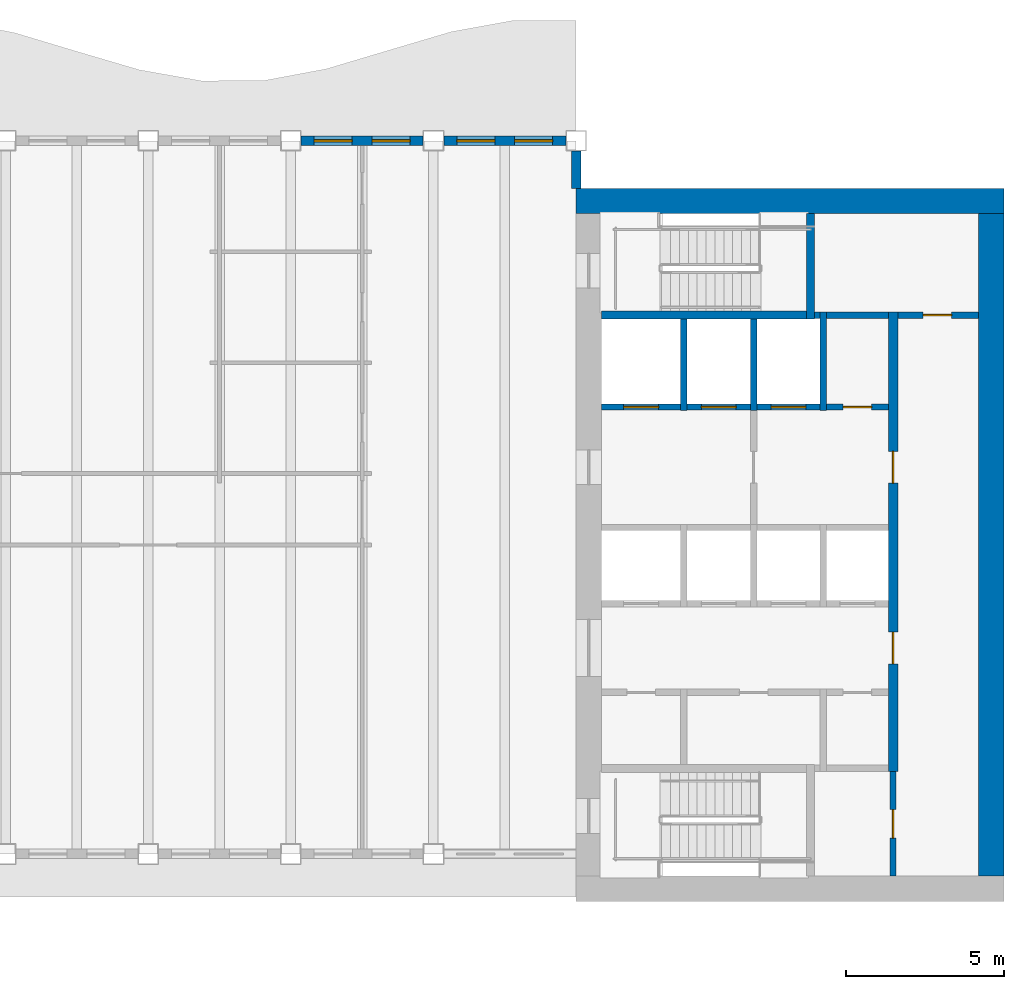
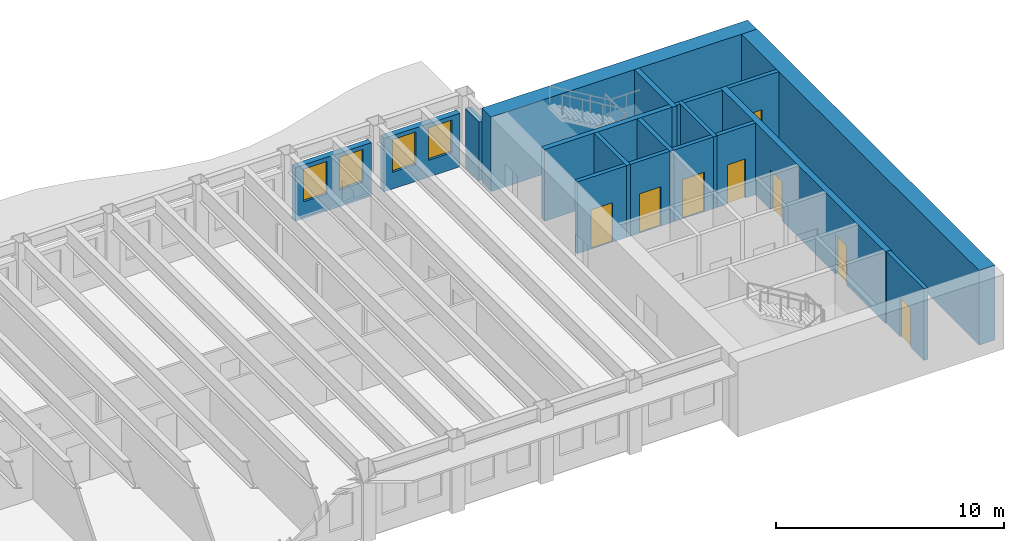
# One storey, part 6 of 12: 19 walls, 8 doors, 4 windows, 12 openings.
"""IFC4 building model written with IfcOpenShell, lengths in metres."""

from ifc_helpers import new_model, si_unit, direction, frame, frame_2d, origin, place, context, subcontext, project, spatial, rectangle, extrude, material, layer, layer_set, type_object, element, fill, save


model = new_model("IFC4")

# Units and contexts
model_context = context("Model", 3, precision=1e-05, world=origin(), true_north=direction((0.0, 1.0)))
body_context = subcontext(model_context, "Body", "Model", "MODEL_VIEW")
ifc_project = project(units=[si_unit("LENGTHUNIT", "METRE"), si_unit("AREAUNIT", "SQUARE_METRE"), si_unit("VOLUMEUNIT", "CUBIC_METRE"), si_unit("PLANEANGLEUNIT", "RADIAN"), si_unit("MASSUNIT", "GRAM", prefix="KILO")], contexts=[model_context])

# Site, building, storey
site_placement = place(None, origin())
site = spatial("IfcSite", under=ifc_project, at=site_placement, CompositionType="ELEMENT")
building_placement = place(site_placement, origin())
building = spatial("IfcBuilding", under=site, at=building_placement, Name="Sennacour Bend Tower", CompositionType="ELEMENT")
storey_placement = place(building_placement, frame((0.0, 0.0, 265.0)))
storey = spatial("IfcBuildingStorey", under=building, at=storey_placement, Name="L61", CompositionType="ELEMENT", Elevation=265.0)

# Walls
ifc_material_1 = material(Name="Concrete C50/60", Category="concrete")
ifc_layer_1 = layer(ifc_material_1, 0.800048828125, Name="Concrete C50/60", Category="concrete")
ifc_layer_set_1 = layer_set([ifc_layer_1], Name="Concrete C50/60")
wall_type_1 = type_object("IfcWallType", Name="Core wall 800 C50/60", PredefinedType="SHEAR", material=ifc_layer_set_1)
wall_1_placement = place(storey_placement, frame((54.0, 22.10009765625, -0.14990234375), z_axis=(0.0, 0.0, 1.0), x_axis=(1.0, 0.0, 0.0)))
element("IfcWall", 1, at=wall_1_placement, inside=storey, type_object=wall_type_1, Name="Core A wall L61 N", PredefinedType="SHEAR", context=body_context, shape_type="SweptSolid", body=[
    extrude(rectangle(XDim=13.5, YDim=0.800048828125, at=frame_2d((6.75, 0.0))), origin(), (0.0, 0.0, 1.0), 4.0),
])
wall_2_placement = place(storey_placement, frame((67.10009765625, 0.800048828125, -0.14990234375), z_axis=(0.0, 0.0, 1.0), x_axis=(0.0, 1.0, 0.0)))
element("IfcWall", 2, at=wall_2_placement, inside=storey, type_object=wall_type_1, Name="Core A wall L61 E", PredefinedType="SHEAR", context=body_context, shape_type="SweptSolid", body=[
    extrude(rectangle(XDim=20.89990234375, YDim=0.800048828125, at=frame_2d((10.449951171875, 0.0))), origin(), (0.0, 0.0, 1.0), 4.0),
])

# Wall, opening, door
ifc_material_2 = material(Name="Fire-rated plasterboard partition on steel studs", Category="steel")
ifc_layer_2 = layer(ifc_material_2, 0.199951171875, Name="Fire-rated plasterboard partition on steel studs", Category="steel")
ifc_layer_set_2 = layer_set([ifc_layer_2], Name="Fire-rated plasterboard partition on steel studs")
wall_type_2 = type_object("IfcWallType", Name="Rated partition 200", PredefinedType="PARTITIONING", material=ifc_layer_set_2)
wall_3_placement = place(storey_placement, frame((64.0, 0.800048828125, 0.0), z_axis=(0.0, 0.0, 1.0), x_axis=(0.0, 1.0, 0.0)))
wall_3 = element("IfcWall", 3, at=wall_3_placement, inside=storey, type_object=wall_type_2, Name="P-L61-W027", PredefinedType="PARTITIONING", context=body_context, shape_type="SweptSolid", body=[
    extrude(rectangle(XDim=3.300048828125, YDim=0.199951171875, at=frame_2d((1.64990234375, 0.0))), origin(), (0.0, 0.0, 1.0), 3.85009765625),
])
opening_1_placement = place(wall_3_placement, frame((1.199951171875, 0.0, 0.0)))
opening_1 = element("IfcOpeningElement", 4, at=opening_1_placement, cuts=wall_3, Name="Opening SV", PredefinedType="OPENING", context=body_context, shape_type="SweptSolid", body=[
    extrude(rectangle(XDim=0.89990234375, YDim=2.10009765625, at=frame_2d((0.449951171875, 1.050048828125))), frame((0.0, 0.10986328125, 0.0), z_axis=(0.0, -1.0, 0.0), x_axis=(1.0, 0.0, 0.0)), (0.0, 0.0, 1.0), 0.219970703125),
])
ifc_material_3 = material(Name="Painted steel", Category="steel")
door_type_1 = type_object("IfcDoorType", Name="DR-SERVICE-900", OperationType="NOTDEFINED", PredefinedType="DOOR", material=ifc_material_3)
door_1_placement = place(opening_1_placement, origin())
door_1 = element("IfcDoor", 5, at=door_1_placement, inside=storey, type_object=door_type_1, Name="Door", OperationType="SINGLE_SWING_LEFT", OverallHeight=2.10009765625, OverallWidth=0.89990234375, PredefinedType="DOOR", context=body_context, shape_type="SweptSolid", body=[
    extrude(rectangle(XDim=0.89990234375, YDim=2.10009765625, at=frame_2d((0.449951171875, 1.050048828125))), frame((0.0, 0.02490234375, 0.0), z_axis=(0.0, -1.0, 0.0), x_axis=(1.0, 0.0, 0.0)), (0.0, 0.0, 1.0), 0.050048828125),
])
fill(opening_1, door_1)

wall_4_placement = place(storey_placement, frame((61.89990234375, 15.60009765625, 0.0), z_axis=(0.0, 0.0, 1.0), x_axis=(1.0, 0.0, 0.0)))
wall_4 = element("IfcWall", 6, at=wall_4_placement, inside=storey, type_object=wall_type_2, Name="P-L61-W043", PredefinedType="PARTITIONING", context=body_context, shape_type="SweptSolid", body=[
    extrude(rectangle(XDim=1.9501953125, YDim=0.199951171875, at=frame_2d((0.97509765625, 0.0))), origin(), (0.0, 0.0, 1.0), 3.85009765625),
])
opening_2_placement = place(wall_4_placement, frame((0.525146484375, 0.0, 0.0)))
opening_2 = element("IfcOpeningElement", 7, at=opening_2_placement, cuts=wall_4, Name="Opening SV", PredefinedType="OPENING", context=body_context, shape_type="SweptSolid", body=[
    extrude(rectangle(XDim=0.89990234375, YDim=2.10009765625, at=frame_2d((0.449951171875, 1.050048828125))), frame((0.0, 0.10986328125, 0.0), z_axis=(0.0, -1.0, 0.0), x_axis=(1.0, 0.0, 0.0)), (0.0, 0.0, 1.0), 0.219970703125),
])
door_2_placement = place(opening_2_placement, origin())
door_2 = element("IfcDoor", 8, at=door_2_placement, inside=storey, type_object=door_type_1, Name="Door", OperationType="SINGLE_SWING_RIGHT", OverallHeight=2.10009765625, OverallWidth=0.89990234375, PredefinedType="DOOR", context=body_context, shape_type="SweptSolid", body=[
    extrude(rectangle(XDim=0.89990234375, YDim=2.10009765625, at=frame_2d((0.449951171875, 1.050048828125))), frame((0.0, 0.02490234375, 0.0), z_axis=(0.0, -1.0, 0.0), x_axis=(1.0, 0.0, 0.0)), (0.0, 0.0, 1.0), 0.050048828125),
])
fill(opening_2, door_2)

# Wall
wall_5_placement = place(storey_placement, frame((61.89990234375, 18.5, 0.0), z_axis=(0.0, 0.0, 1.0), x_axis=(1.0, 0.0, 0.0)))
element("IfcWall", 9, at=wall_5_placement, inside=storey, type_object=wall_type_2, Name="P-L61-W047a", PredefinedType="PARTITIONING", context=body_context, shape_type="SweptSolid", body=[
    extrude(rectangle(XDim=1.9501953125, YDim=0.199951171875, at=frame_2d((0.97509765625, 0.0))), origin(), (0.0, 0.0, 1.0), 3.85009765625),
])

# Wall, opening, door
wall_6_placement = place(storey_placement, frame((64.14990234375, 18.5, 0.0), z_axis=(0.0, 0.0, 1.0), x_axis=(1.0, 0.0, 0.0)))
wall_6 = element("IfcWall", 10, at=wall_6_placement, inside=storey, type_object=wall_type_2, Name="P-L61-W047b", PredefinedType="PARTITIONING", context=body_context, shape_type="SweptSolid", body=[
    extrude(rectangle(XDim=2.550048828125, YDim=0.199951171875, at=frame_2d((1.27490234375, 0.0))), origin(), (0.0, 0.0, 1.0), 3.85009765625),
])
opening_3_placement = place(wall_6_placement, frame((0.800048828125, 0.0, 0.0)))
opening_3 = element("IfcOpeningElement", 11, at=opening_3_placement, cuts=wall_6, Name="Opening SV", PredefinedType="OPENING", context=body_context, shape_type="SweptSolid", body=[
    extrude(rectangle(XDim=0.89990234375, YDim=2.10009765625, at=frame_2d((0.449951171875, 1.050048828125))), frame((0.0, 0.10986328125, 0.0), z_axis=(0.0, -1.0, 0.0), x_axis=(1.0, 0.0, 0.0)), (0.0, 0.0, 1.0), 0.219970703125),
])
door_3_placement = place(opening_3_placement, origin())
door_3 = element("IfcDoor", 12, at=door_3_placement, inside=storey, type_object=door_type_1, Name="Door", OperationType="SINGLE_SWING_LEFT", OverallHeight=2.10009765625, OverallWidth=0.89990234375, PredefinedType="DOOR", context=body_context, shape_type="SweptSolid", body=[
    extrude(rectangle(XDim=0.89990234375, YDim=2.10009765625, at=frame_2d((0.449951171875, 1.050048828125))), frame((0.0, 0.02490234375, 0.0), z_axis=(0.0, -1.0, 0.0), x_axis=(1.0, 0.0, 0.0)), (0.0, 0.0, 1.0), 0.050048828125),
])
fill(opening_3, door_3)

# Wall
ifc_material_4 = material(Name="Warm limestone cladding", Category="masonry")
ifc_layer_3 = layer(ifc_material_4, 0.050048828125, Name="Warm limestone cladding", Category="masonry")
ifc_material_5 = material(Name="Precast concrete C40/50", Category="concrete")
ifc_layer_4 = layer(ifc_material_5, 0.25, Name="Precast concrete C40/50", Category="concrete")
ifc_layer_set_3 = layer_set([ifc_layer_3, ifc_layer_4], Name="Precast concrete C40/50 with limestone cladding")
wall_type_3 = type_object("IfcWallType", Name="STONE-CLAD PRECAST SPANDREL 300", PredefinedType="STANDARD", material=ifc_layer_set_3)
wall_7_placement = place(storey_placement, frame((54.0, 22.5, 0.0), z_axis=(0.0, 0.0, 1.0), x_axis=(0.0, 1.0, 0.0)))
element("IfcWall", 13, at=wall_7_placement, inside=storey, type_object=wall_type_3, Name="Stone spandrel and pier wall L61 06.00", PredefinedType="STANDARD", context=body_context, shape_type="SweptSolid", body=[
    extrude(rectangle(XDim=1.175048828125, YDim=0.300048828125, at=frame_2d((0.58740234375, 0.0))), origin(), (0.0, 0.0, 1.0), 3.162109375),
])

# Wall, openings, windows
wall_8_placement = place(storey_placement, frame((53.675048828125, 24.0, 0.0), z_axis=(0.0, 0.0, 1.0), x_axis=(-1.0, 0.0, 0.0)))
wall_8 = element("IfcWall", 14, at=wall_8_placement, inside=storey, type_object=wall_type_3, Name="Stone spandrel and pier wall L61 07.00", PredefinedType="STANDARD", context=body_context, shape_type="SweptSolid", body=[
    extrude(rectangle(XDim=3.85009765625, YDim=0.300048828125, at=frame_2d((1.925048828125, 0.0))), origin(), (0.0, 0.0, 1.0), 2.8701171875),
])
opening_4_placement = place(wall_8_placement, frame((0.41259765625, 0.0, 0.89990234375)))
opening_4 = element("IfcOpeningElement", 15, at=opening_4_placement, cuts=wall_8, Name="Opening W16", PredefinedType="OPENING", context=body_context, shape_type="SweptSolid", body=[
    extrude(rectangle(XDim=1.199951171875, YDim=1.75, at=frame_2d((0.60009765625, 0.875))), frame((0.0, 0.16015625, 0.0), z_axis=(0.0, -1.0, 0.0), x_axis=(1.0, 0.0, 0.0)), (0.0, 0.0, 1.0), 0.320068359375),
])
opening_5_placement = place(wall_8_placement, frame((2.237548828125, 0.0, 0.89990234375)))
opening_5 = element("IfcOpeningElement", 16, at=opening_5_placement, cuts=wall_8, Name="Opening W16", PredefinedType="OPENING", context=body_context, shape_type="SweptSolid", body=[
    extrude(rectangle(XDim=1.199951171875, YDim=1.75, at=frame_2d((0.60009765625, 0.875))), frame((0.0, 0.16015625, 0.0), z_axis=(0.0, -1.0, 0.0), x_axis=(1.0, 0.0, 0.0)), (0.0, 0.0, 1.0), 0.320068359375),
])
ifc_material_6 = material(Name="Clear low-emissivity glass", Category="glass")
window_type = type_object("IfcWindowType", Name="WIN-RIBBON-1200x1750", PartitioningType="SINGLE_PANEL", PredefinedType="WINDOW", material=ifc_material_6)
window_1_placement = place(opening_4_placement, origin())
window_1 = element("IfcWindow", 17, at=window_1_placement, inside=storey, type_object=window_type, Name="Ribbon window L61 07.00.0", OverallHeight=1.75, OverallWidth=1.199951171875, PartitioningType="SINGLE_PANEL", PredefinedType="WINDOW", context=body_context, shape_type="SweptSolid", body=[
    extrude(rectangle(XDim=1.199951171875, YDim=1.75, at=frame_2d((0.60009765625, 0.875))), frame((0.0, 0.030029296875, 0.0), z_axis=(0.0, -1.0, 0.0), x_axis=(1.0, 0.0, 0.0)), (0.0, 0.0, 1.0), 0.06005859375),
])
fill(opening_4, window_1)
window_2_placement = place(opening_5_placement, origin())
window_2 = element("IfcWindow", 18, at=window_2_placement, inside=storey, type_object=window_type, Name="Ribbon window L61 07.00.1", OverallHeight=1.75, OverallWidth=1.199951171875, PartitioningType="SINGLE_PANEL", PredefinedType="WINDOW", context=body_context, shape_type="SweptSolid", body=[
    extrude(rectangle(XDim=1.199951171875, YDim=1.75, at=frame_2d((0.60009765625, 0.875))), frame((0.0, 0.030029296875, 0.0), z_axis=(0.0, -1.0, 0.0), x_axis=(1.0, 0.0, 0.0)), (0.0, 0.0, 1.0), 0.06005859375),
])
fill(opening_5, window_2)

wall_9_placement = place(storey_placement, frame((49.175048828125, 24.0, 0.0), z_axis=(0.0, 0.0, 1.0), x_axis=(-1.0, 0.0, 0.0)))
wall_9 = element("IfcWall", 19, at=wall_9_placement, inside=storey, type_object=wall_type_3, Name="Stone spandrel and pier wall L61 07.01", PredefinedType="STANDARD", context=body_context, shape_type="SweptSolid", body=[
    extrude(rectangle(XDim=3.85009765625, YDim=0.300048828125, at=frame_2d((1.925048828125, 0.0))), origin(), (0.0, 0.0, 1.0), 2.8701171875),
])
opening_6_placement = place(wall_9_placement, frame((0.41259765625, 0.0, 0.89990234375)))
opening_6 = element("IfcOpeningElement", 20, at=opening_6_placement, cuts=wall_9, Name="Opening W16", PredefinedType="OPENING", context=body_context, shape_type="SweptSolid", body=[
    extrude(rectangle(XDim=1.199951171875, YDim=1.75, at=frame_2d((0.60009765625, 0.875))), frame((0.0, 0.16015625, 0.0), z_axis=(0.0, -1.0, 0.0), x_axis=(1.0, 0.0, 0.0)), (0.0, 0.0, 1.0), 0.320068359375),
])
opening_7_placement = place(wall_9_placement, frame((2.237548828125, 0.0, 0.89990234375)))
opening_7 = element("IfcOpeningElement", 21, at=opening_7_placement, cuts=wall_9, Name="Opening W16", PredefinedType="OPENING", context=body_context, shape_type="SweptSolid", body=[
    extrude(rectangle(XDim=1.199951171875, YDim=1.75, at=frame_2d((0.60009765625, 0.875))), frame((0.0, 0.16015625, 0.0), z_axis=(0.0, -1.0, 0.0), x_axis=(1.0, 0.0, 0.0)), (0.0, 0.0, 1.0), 0.320068359375),
])
window_3_placement = place(opening_6_placement, origin())
window_3 = element("IfcWindow", 22, at=window_3_placement, inside=storey, type_object=window_type, Name="Ribbon window L61 07.01.0", OverallHeight=1.75, OverallWidth=1.199951171875, PartitioningType="SINGLE_PANEL", PredefinedType="WINDOW", context=body_context, shape_type="SweptSolid", body=[
    extrude(rectangle(XDim=1.199951171875, YDim=1.75, at=frame_2d((0.60009765625, 0.875))), frame((0.0, 0.030029296875, 0.0), z_axis=(0.0, -1.0, 0.0), x_axis=(1.0, 0.0, 0.0)), (0.0, 0.0, 1.0), 0.06005859375),
])
fill(opening_6, window_3)
window_4_placement = place(opening_7_placement, origin())
window_4 = element("IfcWindow", 23, at=window_4_placement, inside=storey, type_object=window_type, Name="Ribbon window L61 07.01.1", OverallHeight=1.75, OverallWidth=1.199951171875, PartitioningType="SINGLE_PANEL", PredefinedType="WINDOW", context=body_context, shape_type="SweptSolid", body=[
    extrude(rectangle(XDim=1.199951171875, YDim=1.75, at=frame_2d((0.60009765625, 0.875))), frame((0.0, 0.030029296875, 0.0), z_axis=(0.0, -1.0, 0.0), x_axis=(1.0, 0.0, 0.0)), (0.0, 0.0, 1.0), 0.06005859375),
])
fill(opening_7, window_4)

# Walls
ifc_layer_5 = layer(ifc_material_1, 0.199951171875, Name="Concrete C50/60", Category="concrete")
ifc_layer_set_4 = layer_set([ifc_layer_5], Name="Concrete C50/60")
wall_type_4 = type_object("IfcWallType", Name="Shaft wall 200", PredefinedType="SOLIDWALL", material=ifc_layer_set_4)
for number, where, z_axis, x_axis, name in (
    (24, (57.39990234375, 15.5, 0.0), (0.0, 0.0, 1.0), (0.0, 1.0, 0.0), "P-L61-W018"),
    (25, (59.60009765625, 15.5, 0.0), (0.0, 0.0, 1.0), (0.0, 1.0, 0.0), "P-L61-W021"),
):
    element("IfcWall", number, at=place(storey_placement, frame(where, z_axis=z_axis, x_axis=x_axis)), inside=storey, type_object=wall_type_4, Name=name, PredefinedType="SOLIDWALL", context=body_context, shape_type="SweptSolid", body=[
        extrude(rectangle(XDim=2.875, YDim=0.199951171875, at=frame_2d((1.4375, 0.0))), origin(), (0.0, 0.0, 1.0), 3.85009765625),
    ])
wall_10_placement = place(storey_placement, frame((61.800048828125, 15.5, 0.0), z_axis=(0.0, 0.0, 1.0), x_axis=(0.0, 1.0, 0.0)))
element("IfcWall", 26, at=wall_10_placement, inside=storey, type_object=wall_type_4, Name="P-L61-W026", PredefinedType="SOLIDWALL", context=body_context, shape_type="SweptSolid", body=[
    extrude(rectangle(XDim=3.10009765625, YDim=0.199951171875, at=frame_2d((1.550048828125, 0.0))), origin(), (0.0, 0.0, 1.0), 3.85009765625),
])

# Wall, opening, door
wall_11_placement = place(storey_placement, frame((54.800048828125, 15.60009765625, 0.0), z_axis=(0.0, 0.0, 1.0), x_axis=(1.0, 0.0, 0.0)))
wall_11 = element("IfcWall", 27, at=wall_11_placement, inside=storey, type_object=wall_type_4, Name="P-L61-W042a", PredefinedType="SOLIDWALL", context=body_context, shape_type="SweptSolid", body=[
    extrude(rectangle(XDim=2.5, YDim=0.199951171875, at=frame_2d((1.25, 0.0))), origin(), (0.0, 0.0, 1.0), 3.85009765625),
])
opening_8_placement = place(wall_11_placement, frame((0.699951171875, 0.0, 0.011962890625)))
opening_8 = element("IfcOpeningElement", 28, at=opening_8_placement, cuts=wall_11, Name="Opening FLD", PredefinedType="OPENING", context=body_context, shape_type="SweptSolid", body=[
    extrude(rectangle(XDim=1.10009765625, YDim=2.10009765625, at=frame_2d((0.550048828125, 1.050048828125))), frame((0.0, 0.10986328125, 0.0), z_axis=(0.0, -1.0, 0.0), x_axis=(1.0, 0.0, 0.0)), (0.0, 0.0, 1.0), 0.219970703125),
])
ifc_material_7 = material(Name="Stainless steel", Category="steel")
door_type_2 = type_object("IfcDoorType", Name="DR-FF-LANDING-1100", OperationType="NOTDEFINED", PredefinedType="DOOR", material=ifc_material_7)
door_4_placement = place(opening_8_placement, origin())
door_4 = element("IfcDoor", 29, at=door_4_placement, inside=storey, type_object=door_type_2, Name="Fire service lift landing door FA1", OperationType="SLIDING_TO_LEFT", OverallHeight=2.10009765625, OverallWidth=1.10009765625, PredefinedType="DOOR", context=body_context, shape_type="SweptSolid", body=[
    extrude(rectangle(XDim=1.10009765625, YDim=2.10009765625, at=frame_2d((0.550048828125, 1.050048828125))), frame((0.0, 0.02490234375, 0.0), z_axis=(0.0, -1.0, 0.0), x_axis=(1.0, 0.0, 0.0)), (0.0, 0.0, 1.0), 0.050048828125),
])
fill(opening_8, door_4)

wall_12_placement = place(storey_placement, frame((57.5, 15.60009765625, 0.0), z_axis=(0.0, 0.0, 1.0), x_axis=(1.0, 0.0, 0.0)))
wall_12 = element("IfcWall", 30, at=wall_12_placement, inside=storey, type_object=wall_type_4, Name="P-L61-W042b", PredefinedType="SOLIDWALL", context=body_context, shape_type="SweptSolid", body=[
    extrude(rectangle(XDim=2.0, YDim=0.199951171875, at=frame_2d((1.0, 0.0))), origin(), (0.0, 0.0, 1.0), 3.85009765625),
])
opening_9_placement = place(wall_12_placement, frame((0.449951171875, 0.0, 0.011962890625)))
opening_9 = element("IfcOpeningElement", 31, at=opening_9_placement, cuts=wall_12, Name="Opening FLD", PredefinedType="OPENING", context=body_context, shape_type="SweptSolid", body=[
    extrude(rectangle(XDim=1.10009765625, YDim=2.10009765625, at=frame_2d((0.550048828125, 1.050048828125))), frame((0.0, 0.10986328125, 0.0), z_axis=(0.0, -1.0, 0.0), x_axis=(1.0, 0.0, 0.0)), (0.0, 0.0, 1.0), 0.219970703125),
])
door_5_placement = place(opening_9_placement, origin())
door_5 = element("IfcDoor", 32, at=door_5_placement, inside=storey, type_object=door_type_2, Name="Fire service lift landing door FA2", OperationType="SLIDING_TO_RIGHT", OverallHeight=2.10009765625, OverallWidth=1.10009765625, PredefinedType="DOOR", context=body_context, shape_type="SweptSolid", body=[
    extrude(rectangle(XDim=1.10009765625, YDim=2.10009765625, at=frame_2d((0.550048828125, 1.050048828125))), frame((0.0, 0.02490234375, 0.0), z_axis=(0.0, -1.0, 0.0), x_axis=(1.0, 0.0, 0.0)), (0.0, 0.0, 1.0), 0.050048828125),
])
fill(opening_9, door_5)

wall_13_placement = place(storey_placement, frame((59.699951171875, 15.60009765625, 0.0), z_axis=(0.0, 0.0, 1.0), x_axis=(1.0, 0.0, 0.0)))
wall_13 = element("IfcWall", 33, at=wall_13_placement, inside=storey, type_object=wall_type_4, Name="P-L61-W042c", PredefinedType="SOLIDWALL", context=body_context, shape_type="SweptSolid", body=[
    extrude(rectangle(XDim=2.0, YDim=0.199951171875, at=frame_2d((1.0, 0.0))), origin(), (0.0, 0.0, 1.0), 3.85009765625),
])
opening_10_placement = place(wall_13_placement, frame((0.449951171875, 0.0, 0.011962890625)))
opening_10 = element("IfcOpeningElement", 34, at=opening_10_placement, cuts=wall_13, Name="Opening LD", PredefinedType="OPENING", context=body_context, shape_type="SweptSolid", body=[
    extrude(rectangle(XDim=1.10009765625, YDim=2.10009765625, at=frame_2d((0.550048828125, 1.050048828125))), frame((0.0, 0.10986328125, 0.0), z_axis=(0.0, -1.0, 0.0), x_axis=(1.0, 0.0, 0.0)), (0.0, 0.0, 1.0), 0.219970703125),
])
door_type_3 = type_object("IfcDoorType", Name="DR-LANDING-1100", OperationType="NOTDEFINED", PredefinedType="DOOR", material=ifc_material_7)
door_6_placement = place(opening_10_placement, origin())
door_6 = element("IfcDoor", 35, at=door_6_placement, inside=storey, type_object=door_type_3, Name="Lift landing door HA5", OperationType="SLIDING_TO_LEFT", OverallHeight=2.10009765625, OverallWidth=1.10009765625, PredefinedType="DOOR", context=body_context, shape_type="SweptSolid", body=[
    extrude(rectangle(XDim=1.10009765625, YDim=2.10009765625, at=frame_2d((0.550048828125, 1.050048828125))), frame((0.0, 0.02490234375, 0.0), z_axis=(0.0, -1.0, 0.0), x_axis=(1.0, 0.0, 0.0)), (0.0, 0.0, 1.0), 0.050048828125),
])
fill(opening_10, door_6)

# Wall
wall_14_placement = place(storey_placement, frame((61.52490234375, 18.5, 0.0), z_axis=(0.0, 0.0, 1.0), x_axis=(1.0, 0.0, 0.0)))
element("IfcWall", 36, at=wall_14_placement, inside=storey, type_object=wall_type_4, Name="P-L61-W046", PredefinedType="SOLIDWALL", context=body_context, shape_type="SweptSolid", body=[
    extrude(rectangle(XDim=0.175048828125, YDim=0.199951171875, at=frame_2d((0.08740234375, 0.0))), origin(), (0.0, 0.0, 1.0), 3.85009765625),
])

# Wall, openings, doors
ifc_material_8 = material(Name="Concrete C60/75", Category="concrete")
ifc_layer_6 = layer(ifc_material_8, 0.300048828125, Name="Concrete C60/75", Category="concrete")
ifc_layer_set_5 = layer_set([ifc_layer_6], Name="Concrete C60/75")
wall_type_5 = type_object("IfcWallType", Name="Spine wall 300", PredefinedType="SHEAR", material=ifc_layer_set_5)
wall_15_placement = place(storey_placement, frame((64.0, 4.10009765625, 0.0), z_axis=(0.0, 0.0, 1.0), x_axis=(0.0, 1.0, 0.0)))
wall_15 = element("IfcWall", 37, at=wall_15_placement, inside=storey, type_object=wall_type_5, Name="P-L61-W028", PredefinedType="SHEAR", context=body_context, shape_type="SweptSolid", body=[
    extrude(rectangle(XDim=14.5, YDim=0.300048828125, at=frame_2d((7.25, 0.0))), origin(), (0.0, 0.0, 1.0), 3.85009765625),
])
opening_11_placement = place(wall_15_placement, frame((3.39990234375, 0.0, 0.0)))
opening_11 = element("IfcOpeningElement", 38, at=opening_11_placement, cuts=wall_15, Name="Opening CD2", PredefinedType="OPENING", context=body_context, shape_type="SweptSolid", body=[
    extrude(rectangle(XDim=1.0, YDim=2.10009765625, at=frame_2d((0.5, 1.050048828125))), frame((0.0, 0.16015625, 0.0), z_axis=(0.0, -1.0, 0.0), x_axis=(1.0, 0.0, 0.0)), (0.0, 0.0, 1.0), 0.320068359375),
])
opening_12_placement = place(wall_15_placement, frame((9.099853515625, 0.0, 0.0)))
opening_12 = element("IfcOpeningElement", 39, at=opening_12_placement, cuts=wall_15, Name="Opening CD2", PredefinedType="OPENING", context=body_context, shape_type="SweptSolid", body=[
    extrude(rectangle(XDim=1.0, YDim=2.10009765625, at=frame_2d((0.5, 1.050048828125))), frame((0.0, 0.16015625, 0.0), z_axis=(0.0, -1.0, 0.0), x_axis=(1.0, 0.0, 0.0)), (0.0, 0.0, 1.0), 0.320068359375),
])
door_type_4 = type_object("IfcDoorType", Name="DR-LOBBY-1000", OperationType="NOTDEFINED", PredefinedType="DOOR", material=ifc_material_3)
door_7_placement = place(opening_11_placement, origin())
door_7 = element("IfcDoor", 40, at=door_7_placement, inside=storey, type_object=door_type_4, Name="Door", OperationType="SINGLE_SWING_LEFT", OverallHeight=2.10009765625, OverallWidth=1.0, PredefinedType="DOOR", context=body_context, shape_type="SweptSolid", body=[
    extrude(rectangle(XDim=1.0, YDim=2.10009765625, at=frame_2d((0.5, 1.050048828125))), frame((0.0, 0.02490234375, 0.0), z_axis=(0.0, -1.0, 0.0), x_axis=(1.0, 0.0, 0.0)), (0.0, 0.0, 1.0), 0.050048828125),
])
fill(opening_11, door_7)
door_8_placement = place(opening_12_placement, origin())
door_8 = element("IfcDoor", 41, at=door_8_placement, inside=storey, type_object=door_type_4, Name="Door", OperationType="SINGLE_SWING_RIGHT", OverallHeight=2.10009765625, OverallWidth=1.0, PredefinedType="DOOR", context=body_context, shape_type="SweptSolid", body=[
    extrude(rectangle(XDim=1.0, YDim=2.10009765625, at=frame_2d((0.5, 1.050048828125))), frame((0.0, 0.02490234375, 0.0), z_axis=(0.0, -1.0, 0.0), x_axis=(1.0, 0.0, 0.0)), (0.0, 0.0, 1.0), 0.050048828125),
])
fill(opening_12, door_8)

# Walls
ifc_layer_7 = layer(ifc_material_8, 0.25, Name="Concrete C60/75", Category="concrete")
ifc_layer_set_6 = layer_set([ifc_layer_7], Name="Concrete C60/75")
wall_type_6 = type_object("IfcWallType", Name="Stair wall 250", PredefinedType="SHEAR", material=ifc_layer_set_6)
wall_16_placement = place(storey_placement, frame((61.39990234375, 18.375, 0.0), z_axis=(0.0, 0.0, 1.0), x_axis=(0.0, 1.0, 0.0)))
element("IfcWall", 42, at=wall_16_placement, inside=storey, type_object=wall_type_6, Name="P-L61-W023", PredefinedType="SHEAR", context=body_context, shape_type="SweptSolid", body=[
    extrude(rectangle(XDim=3.324951171875, YDim=0.25, at=frame_2d((1.66259765625, 0.0))), origin(), (0.0, 0.0, 1.0), 3.85009765625),
])
wall_17_placement = place(storey_placement, frame((54.800048828125, 18.5, 0.0), z_axis=(0.0, 0.0, 1.0), x_axis=(1.0, 0.0, 0.0)))
element("IfcWall", 43, at=wall_17_placement, inside=storey, type_object=wall_type_6, Name="P-L61-W045", PredefinedType="SHEAR", context=body_context, shape_type="SweptSolid", body=[
    extrude(rectangle(XDim=6.474853515625, YDim=0.25, at=frame_2d((3.2373046875, 0.0))), origin(), (0.0, 0.0, 1.0), 3.85009765625),
])

save(model, "model.ifc")
